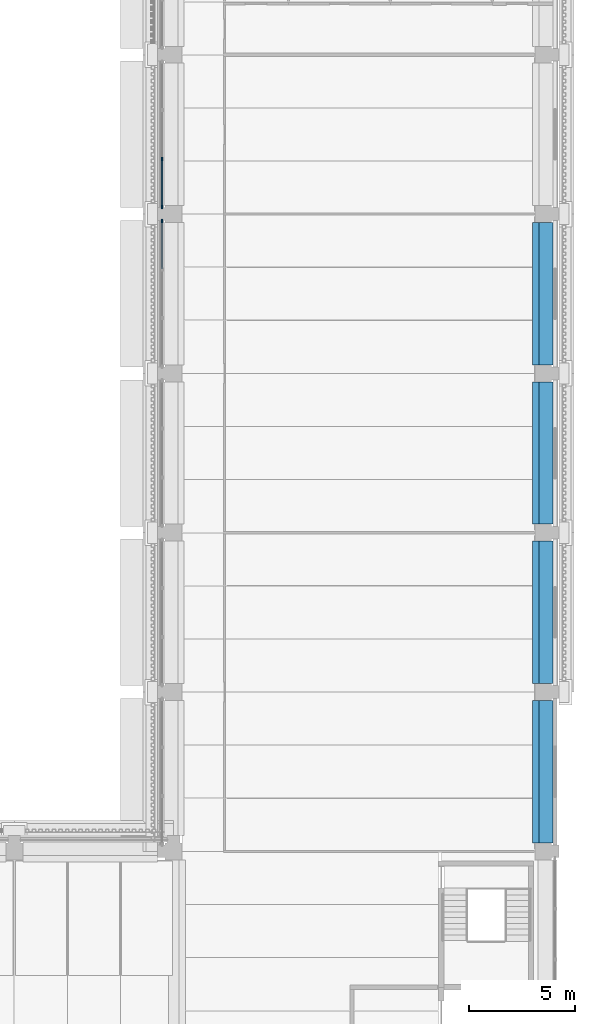
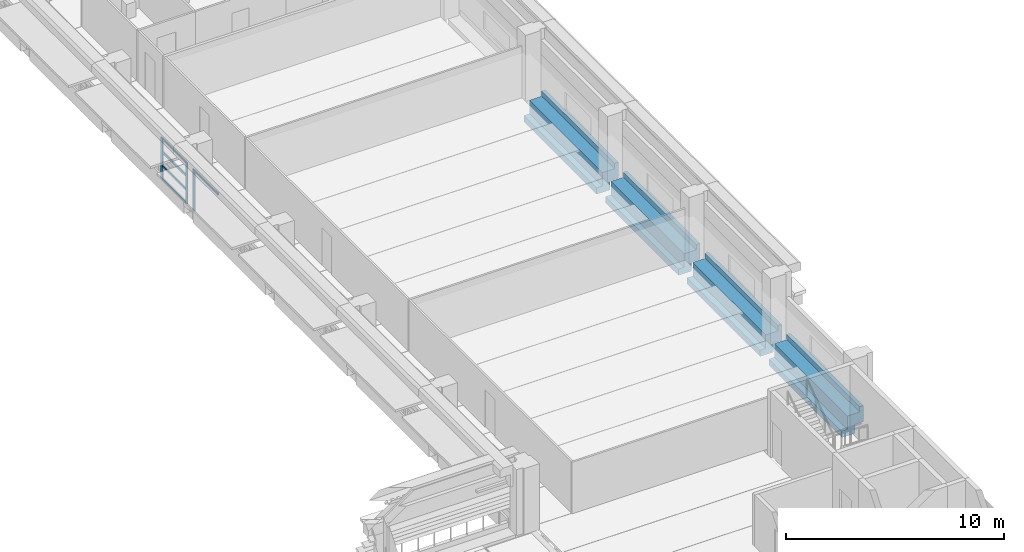
# One storey, part 19 of 71: 8 members, 4 beams, 2 elements without a shape of their own.
"""IFC4 building model written with IfcOpenShell, lengths in metres."""

from ifc_helpers import new_model, si_unit, direction, frame, origin, origin_2d, place, context, subcontext, project, spatial, polyline, rectangle, outline, extrude, material, layer, layer_set, material_profile, profile_set, type_object, element, aggregate, save


model = new_model("IFC4")

# Units and contexts
model_context = context("Model", 3, precision=1e-05, world=origin(), true_north=direction((0.0, 1.0)))
body_context = subcontext(model_context, "Body", "Model", "MODEL_VIEW")
ifc_project = project(units=[si_unit("LENGTHUNIT", "METRE"), si_unit("AREAUNIT", "SQUARE_METRE"), si_unit("VOLUMEUNIT", "CUBIC_METRE"), si_unit("PLANEANGLEUNIT", "RADIAN"), si_unit("MASSUNIT", "GRAM", prefix="KILO")], contexts=[model_context])

# Site, building, storey
site_placement = place(None, origin())
site = spatial("IfcSite", under=ifc_project, at=site_placement, CompositionType="ELEMENT")
building_placement = place(site_placement, origin())
building = spatial("IfcBuilding", under=site, at=building_placement, Name="Cour d'Honneur Mobility Palace", CompositionType="ELEMENT")
storey_placement = place(building_placement, frame((0.0, 0.0, 15.60009765625)))
storey = spatial("IfcBuildingStorey", under=building, at=storey_placement, Name="L04", CompositionType="ELEMENT", Elevation=15.60009765625)

# Curtain wall, members
ifc_material_1 = material(Name="Aluminium and glass", Category="aluminium")
ifc_layer = layer(ifc_material_1, 0.10009765625)
ifc_layer_set = layer_set([ifc_layer], Name="Aluminium and glass")
curtain_wall_type = type_object("IfcCurtainWallType", Name="Curtain wall run", PredefinedType="NOTDEFINED", material=ifc_layer_set)
curtain_wall_1_placement = place(storey_placement, origin())
curtain_wall_1 = element("IfcCurtainWall", 1, at=curtain_wall_1_placement, inside=storey, type_object=curtain_wall_type, Name="Curtain wall CW-67", PredefinedType="NOTDEFINED")
ifc_material_2 = material(Name="Aluminium", Category="aluminium")
ifc_material_profile_1 = material_profile(ifc_material_2, rectangle(XDim=0.06005859375, YDim=0.159912109375, at=origin_2d()), Name="Curtain wall mullion")
ifc_profile_set_1 = profile_set([ifc_material_profile_1], Name="Aluminium")
member_type_1 = type_object("IfcMemberType", Name="Curtain wall mullion", PredefinedType="MULLION", material=ifc_profile_set_1)
member_1_placement = place(storey_placement, frame((144.35009765625, 95.0, 0.0), z_axis=(0.0, 0.0, 1.0), x_axis=(1.0, 0.0, 0.0)))
member_1 = element("IfcMember", 2, at=member_1_placement, type_object=member_type_1, Name="CW-67 mullion 3", PredefinedType="MULLION", context=body_context, shape_type="SweptSolid", body=[
    extrude(rectangle(XDim=0.06005859375, YDim=0.159912109375, at=origin_2d()), origin(), (0.0, 0.0, 1.0), 2.2998046875),
])
member_2_placement = place(storey_placement, frame((144.35009765625, 92.72998046875, 0.0), z_axis=(0.0, 0.0, 1.0), x_axis=(1.0, 0.0, 0.0)))
member_2 = element("IfcMember", 3, at=member_2_placement, type_object=member_type_1, Name="CW-67 mullion 4", PredefinedType="MULLION", context=body_context, shape_type="SweptSolid", body=[
    extrude(rectangle(XDim=0.06005859375, YDim=0.159912109375, at=origin_2d()), origin(), (0.0, 0.0, 1.0), 2.2998046875),
])

# Curtain wall, member
curtain_wall_2_placement = place(storey_placement, origin())
curtain_wall_2 = element("IfcCurtainWall", 4, at=curtain_wall_2_placement, inside=storey, type_object=curtain_wall_type, Name="Curtain wall CW-68", PredefinedType="NOTDEFINED")
member_3_placement = place(storey_placement, frame((144.35009765625, 92.070068359375, 0.0), z_axis=(0.0, 0.0, 1.0), x_axis=(1.0, 0.0, 0.0)))
member_3 = element("IfcMember", 5, at=member_3_placement, type_object=member_type_1, Name="CW-68 mullion 1", PredefinedType="MULLION", context=body_context, shape_type="SweptSolid", body=[
    extrude(rectangle(XDim=0.06005859375, YDim=0.159912109375, at=origin_2d()), origin(), (0.0, 0.0, 1.0), 2.2998046875),
])

# Member
ifc_material_3 = material(Name="Aluminium", Category="aluminium")
ifc_material_profile_2 = material_profile(ifc_material_3, rectangle(XDim=0.06005859375, YDim=0.1201171875, at=origin_2d()), Name="Curtain wall transom")
ifc_profile_set_2 = profile_set([ifc_material_profile_2], Name="Aluminium")
member_type_2 = type_object("IfcMemberType", Name="Curtain wall transom", PredefinedType="USERDEFINED", material=ifc_profile_set_2)
member_4_placement = place(storey_placement, frame((144.35009765625, 94.969970703125, 0.02978515625), z_axis=(0.0, -1.0, 0.0), x_axis=(1.0, 0.0, 0.0)))
member_4 = element("IfcMember", 6, at=member_4_placement, type_object=member_type_2, Name="CW-67 transom 3.1", ObjectType="TRANSOM", PredefinedType="USERDEFINED", context=body_context, shape_type="SweptSolid", body=[
    extrude(rectangle(XDim=0.06005859375, YDim=0.1201171875, at=origin_2d()), origin(), (0.0, 0.0, 1.0), 2.2099609375),
])

member_5_placement = place(storey_placement, frame((144.35009765625, 94.969970703125, 0.7666015625), z_axis=(0.0, -1.0, 0.0), x_axis=(1.0, 0.0, 0.0)))
member_5 = element("IfcMember", 7, at=member_5_placement, type_object=member_type_2, Name="CW-67 transom 3.2", ObjectType="TRANSOM", PredefinedType="USERDEFINED", context=body_context, shape_type="SweptSolid", body=[
    extrude(rectangle(XDim=0.06005859375, YDim=0.1201171875, at=origin_2d()), origin(), (0.0, 0.0, 1.0), 2.2099609375),
])

member_6_placement = place(storey_placement, frame((144.35009765625, 94.969970703125, 1.533203125), z_axis=(0.0, -1.0, 0.0), x_axis=(1.0, 0.0, 0.0)))
member_6 = element("IfcMember", 8, at=member_6_placement, type_object=member_type_2, Name="CW-67 transom 3.3", ObjectType="TRANSOM", PredefinedType="USERDEFINED", context=body_context, shape_type="SweptSolid", body=[
    extrude(rectangle(XDim=0.06005859375, YDim=0.1201171875, at=origin_2d()), origin(), (0.0, 0.0, 1.0), 2.2099609375),
])

member_7_placement = place(storey_placement, frame((144.35009765625, 94.969970703125, 2.27001953125), z_axis=(0.0, -1.0, 0.0), x_axis=(1.0, 0.0, 0.0)))
member_7 = element("IfcMember", 9, at=member_7_placement, type_object=member_type_2, Name="CW-67 transom 3.4", ObjectType="TRANSOM", PredefinedType="USERDEFINED", context=body_context, shape_type="SweptSolid", body=[
    extrude(rectangle(XDim=0.06005859375, YDim=0.1201171875, at=origin_2d()), origin(), (0.0, 0.0, 1.0), 2.2099609375),
])

aggregate(curtain_wall_1, [member_1, member_2, member_4, member_5, member_6, member_7])

member_8_placement = place(storey_placement, frame((144.35009765625, 92.0400390625, 2.27001953125), z_axis=(0.0, -1.0, 0.0), x_axis=(1.0, 0.0, 0.0)))
member_8 = element("IfcMember", 10, at=member_8_placement, type_object=member_type_2, Name="CW-68 transom 1.4", ObjectType="TRANSOM", PredefinedType="USERDEFINED", context=body_context, shape_type="SweptSolid", body=[
    extrude(rectangle(XDim=0.06005859375, YDim=0.1201171875, at=origin_2d()), origin(), (0.0, 0.0, 1.0), 2.2099609375),
])

aggregate(curtain_wall_2, [member_3, member_8])

# Beams
ifc_material_4 = material(Name="Concrete C45", Category="concrete")
ifc_material_profile_3 = material_profile(ifc_material_4, outline(polyline([(0.5, -1.10009765625), (0.5, -0.75), (0.199951171875, -0.75), (0.199951171875, 0.0), (-0.199951171875, 0.0), (-0.449951171875, 0.0), (-0.449951171875, 0.300048828125), (-0.64990234375, 0.300048828125), (-0.64990234375, -0.60009765625), (-0.199951171875, -0.60009765625), (-0.199951171875, -1.10009765625), (0.5, -1.10009765625)])), Name="Ledger Beam 400x1100 ledge left 350 facade right")
ifc_profile_set_3 = profile_set([ifc_material_profile_3], Name="Concrete C45")
beam_type = type_object("IfcBeamType", Name="Ledger Beam 400x1100 ledge left 350 facade right", PredefinedType="BEAM", material=ifc_profile_set_3)
for number, where, z_axis, x_axis, name in (
    (11, (162.300048828125, 62.800048828125, 0.0), (0.0, 1.0, 0.0), (-1.0, 0.0, 0.0), "Precast beam B2 H-J L04"),
    (12, (162.300048828125, 70.300048828125, 0.0), (0.0, 1.0, 0.0), (-1.0, 0.0, 0.0), "Precast beam B2 J-K L04"),
    (13, (162.300048828125, 77.800048828125, 0.0), (0.0, 1.0, 0.0), (-1.0, 0.0, 0.0), "Precast beam B2 K-L L04"),
    (14, (162.300048828125, 85.300048828125, 0.0), (0.0, 1.0, 0.0), (-1.0, 0.0, 0.0), "Precast beam B2 L-M L04"),
):
    element("IfcBeam", number, at=place(storey_placement, frame(where, z_axis=z_axis, x_axis=x_axis)), inside=storey, type_object=beam_type, Name=name, PredefinedType="BEAM", context=body_context, shape_type="SweptSolid", body=[
        extrude(outline(polyline([(0.5, -1.10009765625), (0.5, -0.75), (0.199951171875, -0.75), (0.199951171875, 0.0), (-0.199951171875, 0.0), (-0.449951171875, 0.0), (-0.449951171875, 0.300048828125), (-0.64990234375, 0.300048828125), (-0.64990234375, -0.60009765625), (-0.199951171875, -0.60009765625), (-0.199951171875, -1.10009765625), (0.5, -1.10009765625)])), origin(), (0.0, 0.0, 1.0), 6.699951171875),
    ])

save(model, "model.ifc")
